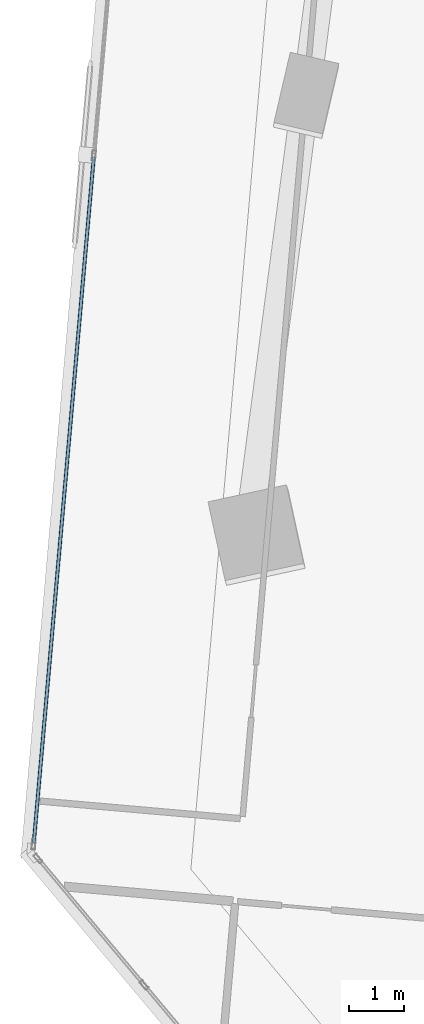
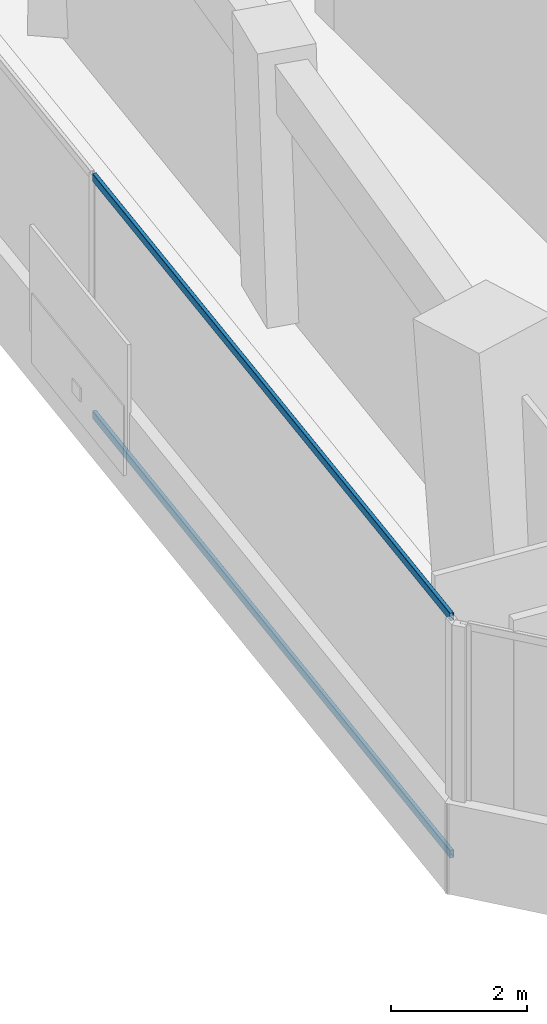
# One storey, part 4 of 23: 2 members, 1 element without a shape of its own.
"""IFC4 building model written with IfcOpenShell, lengths in metres."""

from ifc_helpers import new_model, si_unit, direction, frame, origin, origin_2d, place, context, subcontext, project, spatial, hollow_rectangle, extrude, source, transform, mapped, material, material_profile, profile_set, type_object, element, aggregate, save


model = new_model("IFC4")

# Units and contexts
model_context = context("Model", 3, precision=1e-05, world=origin(), true_north=direction((0.0, 1.0)))
body_context = subcontext(model_context, "Body", "Model", "MODEL_VIEW")
ifc_project = project(units=[si_unit("LENGTHUNIT", "METRE"), si_unit("AREAUNIT", "SQUARE_METRE"), si_unit("VOLUMEUNIT", "CUBIC_METRE"), si_unit("PLANEANGLEUNIT", "RADIAN"), si_unit("MASSUNIT", "GRAM", prefix="KILO")], contexts=[model_context])

# Site, building, storey
site_placement = place(None, origin())
site = spatial("IfcSite", under=ifc_project, at=site_placement, CompositionType="ELEMENT")
building_placement = place(site_placement, origin())
building = spatial("IfcBuilding", under=site, at=building_placement, Name="Torre Montelarca", CompositionType="ELEMENT")
storey_placement = place(building_placement, frame((0.0, 0.0, 56.800048828125)))
storey = spatial("IfcBuildingStorey", under=building, at=storey_placement, Name="L12", CompositionType="ELEMENT", Elevation=56.800048828125)

# Curtain wall, members
ifc_material_1 = material(Name="Insulated low-E laminated glass", Category="glass")
curtain_wall_type = type_object("IfcCurtainWallType", Name="CW-SYS-Z1", PredefinedType="USERDEFINED", material=ifc_material_1)
curtain_wall_placement = place(storey_placement, origin())
curtain_wall = element("IfcCurtainWall", 1, at=curtain_wall_placement, inside=storey, type_object=curtain_wall_type, Name="L12 Curtain Wall Run CW-T3-L12-E10-B1", ObjectType="UNITISED GLAZING", PredefinedType="USERDEFINED")
ifc_material_2 = material(Name="Anodised aluminium AA 6063-T6", Category="aluminium")
ifc_material_profile = material_profile(ifc_material_2, hollow_rectangle(XDim=0.06494140625, YDim=0.139892578125, WallThickness=0.00390625, InnerFilletRadius=0.00390625, OuterFilletRadius=0.008056640625, at=origin_2d()), Name="ALU65X140X4", Category="aluminium")
ifc_profile_set = profile_set([ifc_material_profile], Name="Anodised aluminium AA 6063-T6")
member_type = type_object("IfcMemberType", Name="CWT-ALU140", PredefinedType="USERDEFINED", material=ifc_profile_set)
shared_shape = source(origin(), body_context, "Body", "SweptSolid", [
    extrude(hollow_rectangle(XDim=0.06494140625, YDim=0.139892578125, WallThickness=0.00390625, InnerFilletRadius=0.00390625, OuterFilletRadius=0.008056640625, at=origin_2d()), origin(), (0.0, 0.0, 1.0), 12.4365234375),
])
member_1_placement = place(storey_placement, frame((0.918212890625, 32.76416015625, 0.032470703125), z_axis=(-0.087161592776, -0.996194186263, 0.0), x_axis=(0.996194186263, -0.087161592776, 0.0)))
member_1 = element("IfcMember", 2, at=member_1_placement, type_object=member_type, Name="CW transom 2.1", ObjectType="TRANSOM", PredefinedType="USERDEFINED", context=body_context, shape_type="MappedRepresentation", body=[
    mapped(shared_shape, transform((0.0, 0.0, 0.0), scale=1.0)),
])
member_2_placement = place(storey_placement, frame((0.918212890625, 32.76416015625, 4.287353515625), z_axis=(-0.087161592776, -0.996194186263, 0.0), x_axis=(0.996194186263, -0.087161592776, 0.0)))
member_2 = element("IfcMember", 3, at=member_2_placement, type_object=member_type, Name="CW transom 2.2", ObjectType="TRANSOM", PredefinedType="USERDEFINED", context=body_context, shape_type="MappedRepresentation", body=[
    mapped(shared_shape, transform((0.0, 0.0, 0.0), scale=1.0)),
])
aggregate(curtain_wall, [member_1, member_2])

save(model, "model.ifc")
